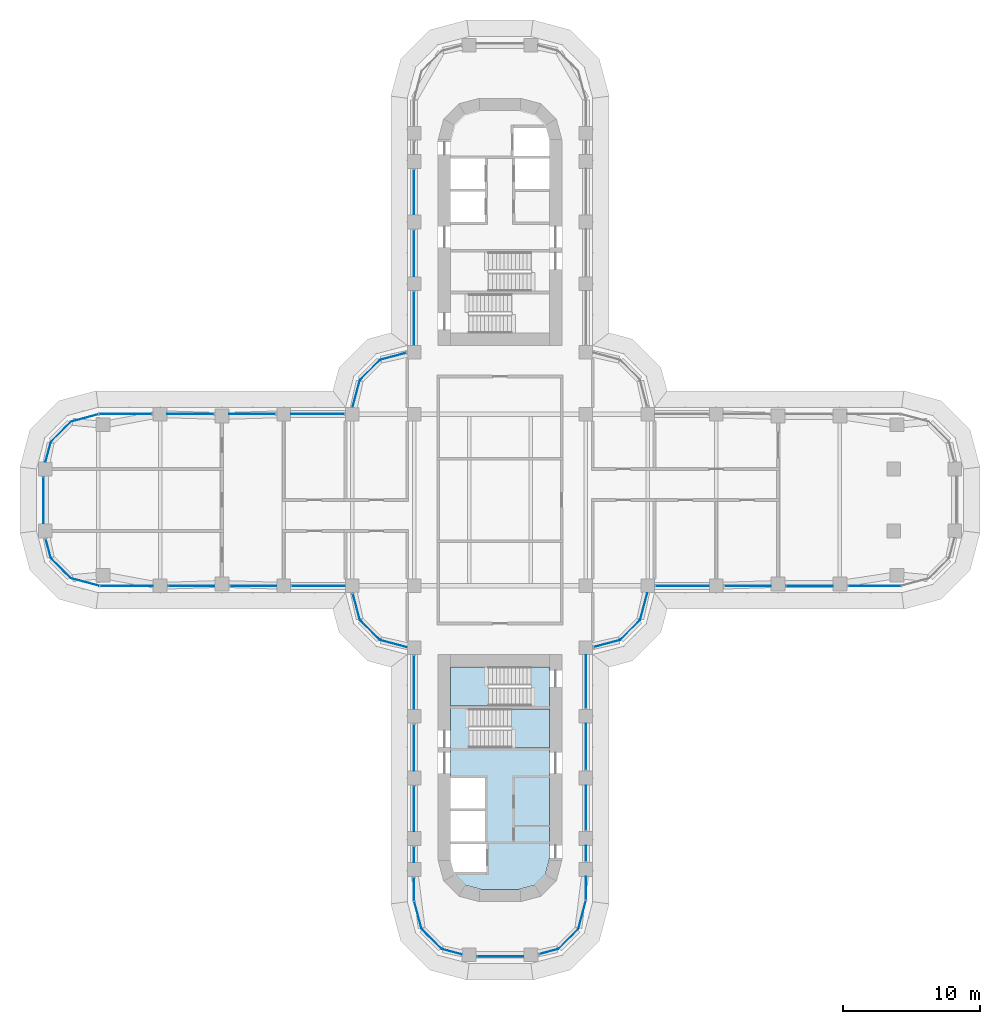
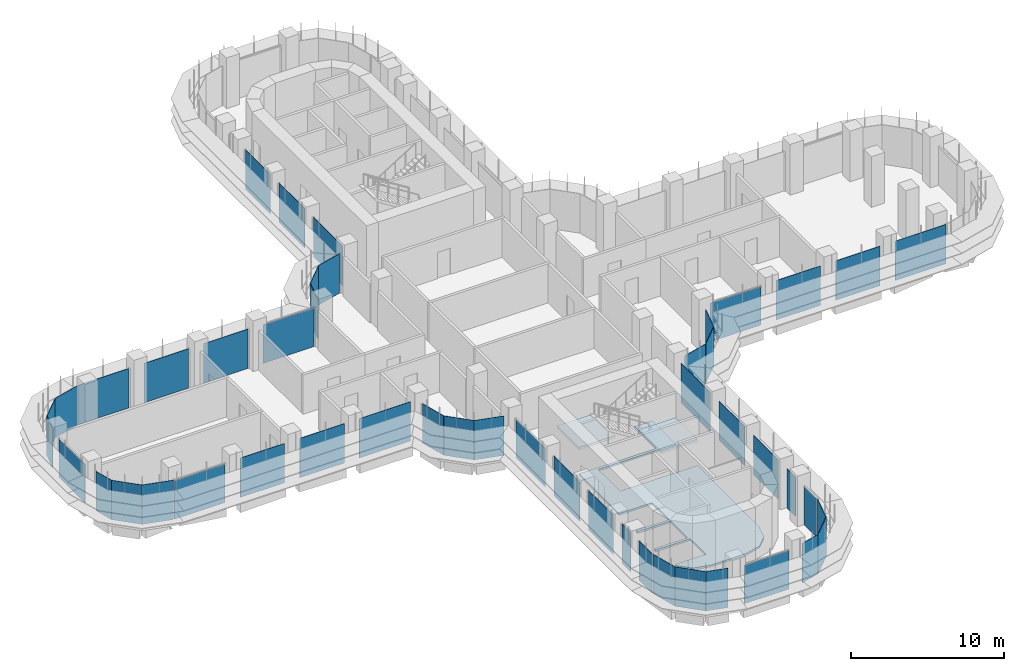
# One storey, part 13 of 23: 48 plates, 3 slabs, 31 elements without a shape of their own.
"""IFC4 building model written with IfcOpenShell, lengths in metres."""

from ifc_helpers import new_model, si_unit, direction, frame, origin, place, context, subcontext, project, spatial, polyline, outline, extrude, source, transform, mapped, material, layer, layer_set, type_object, element, aggregate, save


model = new_model("IFC4")

# Units and contexts
model_context = context("Model", 3, precision=1e-05, world=origin(), true_north=direction((0.0, 1.0)))
body_context = subcontext(model_context, "Body", "Model", "MODEL_VIEW")
ifc_project = project(units=[si_unit("LENGTHUNIT", "METRE"), si_unit("AREAUNIT", "SQUARE_METRE"), si_unit("VOLUMEUNIT", "CUBIC_METRE"), si_unit("PLANEANGLEUNIT", "RADIAN"), si_unit("MASSUNIT", "GRAM", prefix="KILO")], contexts=[model_context])

# Site, building, storey
site_placement = place(None, origin())
site = spatial("IfcSite", under=ifc_project, at=site_placement, CompositionType="ELEMENT")
building_placement = place(site_placement, origin())
building = spatial("IfcBuilding", under=site, at=building_placement, Name="Zarbagh Exchange Tower", CompositionType="ELEMENT")
storey_placement = place(building_placement, frame((0.0, 0.0, 39.60009765625)))
storey = spatial("IfcBuildingStorey", under=building, at=storey_placement, Name="L08", CompositionType="ELEMENT", Elevation=39.60009765625)

# Slab
ifc_material_1 = material(Name="Concrete C40/50", Category="concrete")
ifc_layer_1 = layer(ifc_material_1, 0.14990234375)
ifc_layer_set_1 = layer_set([ifc_layer_1], Name="Core floor slab 150 C40/50")
slab_type_1 = type_object("IfcSlabType", Name="Core floor slab 150 C40/50", PredefinedType="FLOOR", material=ifc_layer_set_1)
slab_1_placement = place(storey_placement, frame((0.0, 0.0, -0.150146484375)))
element("IfcSlab", 1, at=slab_1_placement, inside=storey, type_object=slab_type_1, Name="S17 core S", PredefinedType="FLOOR", context=body_context, shape_type="SweptSolid", body=[
    extrude(outline(polyline([(-2.5341796875, -28.041259765625), (-3.291259765625, -27.2841796875), (-3.340576171875, -27.10009765625), (-1.0, -27.10009765625), (-1.0, -25.050048828125), (-3.60009765625, -25.050048828125), (-3.60009765625, -24.85009765625), (-1.10009765625, -24.85009765625), (-1.10009765625, -22.64990234375), (-3.60009765625, -22.64990234375), (-3.60009765625, -22.449951171875), (-1.10009765625, -22.449951171875), (-1.10009765625, -20.25), (-3.60009765625, -20.25), (-3.60009765625, -15.0), (2.25, -15.0), (2.25, -12.14990234375), (3.60009765625, -12.14990234375), (3.60009765625, -15.199951171875), (-2.25, -15.199951171875), (-2.25, -18.050048828125), (3.60009765625, -18.050048828125), (3.60009765625, -26.131591796875), (3.291259765625, -27.2841796875), (2.5341796875, -28.041259765625), (1.381591796875, -28.35009765625), (-1.381591796875, -28.35009765625), (-2.5341796875, -28.041259765625)])), origin(), (0.0, 0.0, 1.0), 0.150146484375),
])

# Stair, slab
stair_type = type_object("IfcStairType", Name="Exit stair two-flight half-turn", PredefinedType="HALF_TURN_STAIR", material=ifc_material_1)
stair_1_placement = place(storey_placement, origin())
stair_1 = element("IfcStair", 2, at=stair_1_placement, inside=storey, type_object=stair_type, Name="exit stair ST3", PredefinedType="HALF_TURN_STAIR")
ifc_layer_2 = layer(ifc_material_1, 0.199951171875)
ifc_layer_set_2 = layer_set([ifc_layer_2], Name="Stair landing 200 mm")
slab_type_2 = type_object("IfcSlabType", Name="Stair landing 200 mm", PredefinedType="LANDING", material=ifc_layer_set_2)
slab_2_placement = place(storey_placement, frame((0.0, 0.0, 1.89990234375)))
slab_2 = element("IfcSlab", 3, at=slab_2_placement, type_object=slab_type_2, Name="ST3 landing 1", PredefinedType="LANDING", context=body_context, shape_type="SweptSolid", body=[
    extrude(outline(polyline([(0.830078125, -18.050048828125), (3.60009765625, -18.050048828125), (3.60009765625, -15.199951171875), (0.830078125, -15.199951171875), (0.830078125, -18.050048828125)])), origin(), (0.0, 0.0, 1.0), 0.199951171875),
])
aggregate(stair_1, [slab_2])

stair_2_placement = place(storey_placement, origin())
stair_2 = element("IfcStair", 4, at=stair_2_placement, inside=storey, type_object=stair_type, Name="exit stair ST4", PredefinedType="HALF_TURN_STAIR")
slab_3_placement = place(storey_placement, frame((0.0, 0.0, 1.89990234375)))
slab_3 = element("IfcSlab", 5, at=slab_3_placement, type_object=slab_type_2, Name="ST4 landing 1", PredefinedType="LANDING", context=body_context, shape_type="SweptSolid", body=[
    extrude(outline(polyline([(-0.830078125, -12.14990234375), (-3.60009765625, -12.14990234375), (-3.60009765625, -15.0), (-0.830078125, -15.0), (-0.830078125, -12.14990234375)])), origin(), (0.0, 0.0, 1.0), 0.199951171875),
])
aggregate(stair_2, [slab_3])

# Curtain wall, plate
ifc_material_2 = material(Name="Anodised aluminium frame and glazing", Category="aluminium")
curtain_wall_type = type_object("IfcCurtainWallType", Name="CWA Ribbon glazing, lower zones", PredefinedType="NOTDEFINED", material=ifc_material_2)
curtain_wall_1_placement = place(storey_placement, origin())
curtain_wall_1 = element("IfcCurtainWall", 6, at=curtain_wall_1_placement, inside=storey, type_object=curtain_wall_type, Name="CWA01 curtain wall", PredefinedType="NOTDEFINED")
ifc_material_3 = material(Name="Low-e double glazed unit, 6+12+6 mm")
ifc_layer_3 = layer(ifc_material_3, 0.028076171875)
ifc_layer_set_3 = layer_set([ifc_layer_3], Name="PAA Glazing panel, Low-e double glazed unit, 6+12+6 mm")
plate_type = type_object("IfcPlateType", Name="PAA Glazing panel, Low-e double glazed unit, 6+12+6 mm", PredefinedType="CURTAIN_PANEL", material=ifc_layer_set_3)
shared_shape_1 = source(origin(), body_context, "Body", "SweptSolid", [
    extrude(outline(polyline([(0.0, -0.013916015625), (1.4423828125, -0.013916015625), (1.4423828125, 0.013916015625), (0.0, 0.013916015625), (0.0, -0.013916015625)])), origin(), (0.0, 0.0, 1.0), 3.14990234375),
])
placement = place(storey_placement, origin())
plate_1 = element("IfcPlate", 7, at=placement, type_object=plate_type, Name="CWA01 glazing panel 1.1", PredefinedType="CURTAIN_PANEL", context=body_context, shape_type="MappedRepresentation", body=[
    mapped(shared_shape_1, transform((2.847900390625, -33.072021484375, 0.0), x_axis=(0.965924289636, 0.258824779902, 0.0), y_axis=(-0.258824779902, 0.965924289636, 0.0), z_axis=(0.0, 0.0, 1.0))),
])
aggregate(curtain_wall_1, [plate_1])

curtain_wall_2_placement = place(storey_placement, origin())
curtain_wall_2 = element("IfcCurtainWall", 8, at=curtain_wall_2_placement, inside=storey, type_object=curtain_wall_type, Name="CWA37 curtain wall", PredefinedType="NOTDEFINED")
plate_2 = element("IfcPlate", 9, at=placement, type_object=plate_type, Name="CWA37 glazing panel 1.1", PredefinedType="CURTAIN_PANEL", context=body_context, shape_type="MappedRepresentation", body=[
    mapped(shared_shape_1, transform((-33.072021484375, -2.847900390625, 0.0), x_axis=(0.258824779902, -0.965924289636, 0.0), y_axis=(0.965924289636, 0.258824779902, 0.0), z_axis=(0.0, 0.0, 1.0))),
])
aggregate(curtain_wall_2, [plate_2])

curtain_wall_3_placement = place(storey_placement, origin())
curtain_wall_3 = element("IfcCurtainWall", 10, at=curtain_wall_3_placement, inside=storey, type_object=curtain_wall_type, Name="CWA02 curtain wall", PredefinedType="NOTDEFINED")
shared_shape_2 = source(origin(), body_context, "Body", "SweptSolid", [
    extrude(outline(polyline([(0.0, -0.013916015625), (2.061279296875, -0.013916015625), (2.061279296875, 0.013916015625), (0.0, 0.013916015625), (0.0, -0.013916015625)])), origin(), (0.0, 0.0, 1.0), 3.14990234375),
])
plate_3 = element("IfcPlate", 11, at=placement, type_object=plate_type, Name="CWA02 glazing panel 1.1", PredefinedType="CURTAIN_PANEL", context=body_context, shape_type="MappedRepresentation", body=[
    mapped(shared_shape_2, transform((4.2412109375, -32.69873046875, 0.0), x_axis=(0.707106781187, 0.707106781187, 0.0), y_axis=(-0.707106781187, 0.707106781187, 0.0), z_axis=(0.0, 0.0, 1.0))),
])
aggregate(curtain_wall_3, [plate_3])

curtain_wall_4_placement = place(storey_placement, origin())
curtain_wall_4 = element("IfcCurtainWall", 12, at=curtain_wall_4_placement, inside=storey, type_object=curtain_wall_type, Name="CWA06 curtain wall", PredefinedType="NOTDEFINED")
plate_4 = element("IfcPlate", 13, at=placement, type_object=plate_type, Name="CWA06 glazing panel 1.1", PredefinedType="CURTAIN_PANEL", context=body_context, shape_type="MappedRepresentation", body=[
    mapped(shared_shape_2, transform((8.7412109375, -10.19873046875, 0.0), x_axis=(0.707106781187, 0.707106781187, 0.0), y_axis=(-0.707106781187, 0.707106781187, 0.0), z_axis=(0.0, 0.0, 1.0))),
])
aggregate(curtain_wall_4, [plate_4])

curtain_wall_5_placement = place(storey_placement, origin())
curtain_wall_5 = element("IfcCurtainWall", 14, at=curtain_wall_5_placement, inside=storey, type_object=curtain_wall_type, Name="CWA30 curtain wall", PredefinedType="NOTDEFINED")
plate_5 = element("IfcPlate", 15, at=placement, type_object=plate_type, Name="CWA30 glazing panel 1.1", PredefinedType="CURTAIN_PANEL", context=body_context, shape_type="MappedRepresentation", body=[
    mapped(shared_shape_2, transform((-8.7412109375, 10.19873046875, 0.0), x_axis=(-0.707106781187, -0.707106781187, 0.0), y_axis=(0.707106781187, -0.707106781187, 0.0), z_axis=(0.0, 0.0, 1.0))),
])
aggregate(curtain_wall_5, [plate_5])

curtain_wall_6_placement = place(storey_placement, origin())
curtain_wall_6 = element("IfcCurtainWall", 16, at=curtain_wall_6_placement, inside=storey, type_object=curtain_wall_type, Name="CWA34 curtain wall", PredefinedType="NOTDEFINED")
plate_6 = element("IfcPlate", 17, at=placement, type_object=plate_type, Name="CWA34 glazing panel 1.1", PredefinedType="CURTAIN_PANEL", context=body_context, shape_type="MappedRepresentation", body=[
    mapped(shared_shape_2, transform((-31.2412109375, 5.69873046875, 0.0), x_axis=(-0.707106781187, -0.707106781187, 0.0), y_axis=(0.707106781187, -0.707106781187, 0.0), z_axis=(0.0, 0.0, 1.0))),
])
aggregate(curtain_wall_6, [plate_6])

curtain_wall_7_placement = place(storey_placement, origin())
curtain_wall_7 = element("IfcCurtainWall", 18, at=curtain_wall_7_placement, inside=storey, type_object=curtain_wall_type, Name="CWA38 curtain wall", PredefinedType="NOTDEFINED")
plate_7 = element("IfcPlate", 19, at=placement, type_object=plate_type, Name="CWA38 glazing panel 1.1", PredefinedType="CURTAIN_PANEL", context=body_context, shape_type="MappedRepresentation", body=[
    mapped(shared_shape_2, transform((-32.69873046875, -4.2412109375, 0.0), x_axis=(0.707106781187, -0.707106781187, 0.0), y_axis=(0.707106781187, 0.707106781187, 0.0), z_axis=(0.0, 0.0, 1.0))),
])
aggregate(curtain_wall_7, [plate_7])

curtain_wall_8_placement = place(storey_placement, origin())
curtain_wall_8 = element("IfcCurtainWall", 20, at=curtain_wall_8_placement, inside=storey, type_object=curtain_wall_type, Name="CWA42 curtain wall", PredefinedType="NOTDEFINED")
plate_8 = element("IfcPlate", 21, at=placement, type_object=plate_type, Name="CWA42 glazing panel 1.1", PredefinedType="CURTAIN_PANEL", context=body_context, shape_type="MappedRepresentation", body=[
    mapped(shared_shape_2, transform((-10.19873046875, -8.7412109375, 0.0), x_axis=(0.707106781187, -0.707106781187, 0.0), y_axis=(0.707106781187, 0.707106781187, 0.0), z_axis=(0.0, 0.0, 1.0))),
])
aggregate(curtain_wall_8, [plate_8])

curtain_wall_9_placement = place(storey_placement, origin())
curtain_wall_9 = element("IfcCurtainWall", 22, at=curtain_wall_9_placement, inside=storey, type_object=curtain_wall_type, Name="CWA46 curtain wall", PredefinedType="NOTDEFINED")
plate_9 = element("IfcPlate", 23, at=placement, type_object=plate_type, Name="CWA46 glazing panel 1.1", PredefinedType="CURTAIN_PANEL", context=body_context, shape_type="MappedRepresentation", body=[
    mapped(shared_shape_2, transform((-5.69873046875, -31.2412109375, 0.0), x_axis=(0.707106781187, -0.707106781187, 0.0), y_axis=(0.707106781187, 0.707106781187, 0.0), z_axis=(0.0, 0.0, 1.0))),
])
aggregate(curtain_wall_9, [plate_9])

curtain_wall_10_placement = place(storey_placement, origin())
curtain_wall_10 = element("IfcCurtainWall", 24, at=curtain_wall_10_placement, inside=storey, type_object=curtain_wall_type, Name="CWA03 curtain wall", PredefinedType="NOTDEFINED")
shared_shape_3 = source(origin(), body_context, "Body", "SweptSolid", [
    extrude(outline(polyline([(0.0, -0.013916015625), (2.129638671875, -0.013916015625), (2.129638671875, 0.013916015625), (0.0, 0.013916015625), (0.0, -0.013916015625)])), origin(), (0.0, 0.0, 1.0), 3.14990234375),
])
plate_10 = element("IfcPlate", 25, at=placement, type_object=plate_type, Name="CWA03 glazing panel 1.1", PredefinedType="CURTAIN_PANEL", context=body_context, shape_type="MappedRepresentation", body=[
    mapped(shared_shape_3, transform((5.69873046875, -31.2412109375, 0.0), x_axis=(0.258824779902, 0.965924289636, 0.0), y_axis=(-0.965924289636, 0.258824779902, 0.0), z_axis=(0.0, 0.0, 1.0))),
])
aggregate(curtain_wall_10, [plate_10])

curtain_wall_11_placement = place(storey_placement, origin())
curtain_wall_11 = element("IfcCurtainWall", 26, at=curtain_wall_11_placement, inside=storey, type_object=curtain_wall_type, Name="CWA39 curtain wall", PredefinedType="NOTDEFINED")
plate_11 = element("IfcPlate", 27, at=placement, type_object=plate_type, Name="CWA39 glazing panel 1.1", PredefinedType="CURTAIN_PANEL", context=body_context, shape_type="MappedRepresentation", body=[
    mapped(shared_shape_3, transform((-31.2412109375, -5.69873046875, 0.0), x_axis=(0.965924289636, -0.258824779902, 0.0), y_axis=(0.258824779902, 0.965924289636, 0.0), z_axis=(0.0, 0.0, 1.0))),
])
aggregate(curtain_wall_11, [plate_11])

# Curtain wall, plates
curtain_wall_12_placement = place(storey_placement, origin())
curtain_wall_12 = element("IfcCurtainWall", 28, at=curtain_wall_12_placement, inside=storey, type_object=curtain_wall_type, Name="CWA04 curtain wall", PredefinedType="NOTDEFINED")
shared_shape_4 = source(origin(), body_context, "Body", "SweptSolid", [
    extrude(outline(polyline([(0.0, -0.013916015625), (1.68408203125, -0.013916015625), (1.68408203125, 0.013916015625), (0.0, 0.013916015625), (0.0, -0.013916015625)])), origin(), (0.0, 0.0, 1.0), 3.090087890625),
])
plate_12 = element("IfcPlate", 29, at=placement, type_object=plate_type, Name="CWA04 glazing panel 1.1", PredefinedType="CURTAIN_PANEL", context=body_context, shape_type="MappedRepresentation", body=[
    mapped(shared_shape_4, transform((6.25, -29.124267578125, 0.0), x_axis=(0.0, 1.0, 0.0), y_axis=(-1.0, 0.0, 0.0), z_axis=(0.0, 0.0, 1.0))),
])
shared_shape_5 = source(origin(), body_context, "Body", "SweptSolid", [
    extrude(outline(polyline([(0.0, -0.013916015625), (1.110107421875, -0.013916015625), (1.110107421875, 0.013916015625), (0.0, 0.013916015625), (0.0, -0.013916015625)])), origin(), (0.0, 0.0, 1.0), 3.14990234375),
])
plate_13 = element("IfcPlate", 30, at=placement, type_object=plate_type, Name="CWA04 glazing panel 2.1", PredefinedType="CURTAIN_PANEL", context=body_context, shape_type="MappedRepresentation", body=[
    mapped(shared_shape_5, transform((6.25, -26.300048828125, 0.0), x_axis=(0.0, 1.0, 0.0), y_axis=(-1.0, 0.0, 0.0), z_axis=(0.0, 0.0, 1.0))),
])

# Curtain wall, plate
curtain_wall_13_placement = place(storey_placement, origin())
curtain_wall_13 = element("IfcCurtainWall", 31, at=curtain_wall_13_placement, inside=storey, type_object=curtain_wall_type, Name="CWA44 curtain wall", PredefinedType="NOTDEFINED")
plate_14 = element("IfcPlate", 32, at=placement, type_object=plate_type, Name="CWA44 glazing panel 4.1", PredefinedType="CURTAIN_PANEL", context=body_context, shape_type="MappedRepresentation", body=[
    mapped(shared_shape_5, transform((-6.25, -25.25, 0.0), x_axis=(0.0, -1.0, 0.0), y_axis=(1.0, 0.0, 0.0), z_axis=(0.0, 0.0, 1.0))),
])

# Plate
shared_shape_6 = source(origin(), body_context, "Body", "SweptSolid", [
    extrude(outline(polyline([(0.0, -0.013916015625), (3.260009765625, -0.013916015625), (3.260009765625, 0.013916015625), (0.0, 0.013916015625), (0.0, -0.013916015625)])), origin(), (0.0, 0.0, 1.0), 3.14990234375),
])
plate_15 = element("IfcPlate", 33, at=placement, type_object=plate_type, Name="CWA04 glazing panel 3.1", PredefinedType="CURTAIN_PANEL", context=body_context, shape_type="MappedRepresentation", body=[
    mapped(shared_shape_6, transform((6.25, -24.050048828125, 0.0), x_axis=(0.0, 1.0, 0.0), y_axis=(-1.0, 0.0, 0.0), z_axis=(0.0, 0.0, 1.0))),
])

# Curtain wall, plate
curtain_wall_14_placement = place(storey_placement, origin())
curtain_wall_14 = element("IfcCurtainWall", 34, at=curtain_wall_14_placement, inside=storey, type_object=curtain_wall_type, Name="CWA28 curtain wall", PredefinedType="NOTDEFINED")
plate_16 = element("IfcPlate", 35, at=placement, type_object=plate_type, Name="CWA28 glazing panel 3.1", PredefinedType="CURTAIN_PANEL", context=body_context, shape_type="MappedRepresentation", body=[
    mapped(shared_shape_6, transform((-6.25, 24.050048828125, 0.0), x_axis=(0.0, -1.0, 0.0), y_axis=(1.0, 0.0, 0.0), z_axis=(0.0, 0.0, 1.0))),
])

# Plate
plate_17 = element("IfcPlate", 36, at=placement, type_object=plate_type, Name="CWA44 glazing panel 3.1", PredefinedType="CURTAIN_PANEL", context=body_context, shape_type="MappedRepresentation", body=[
    mapped(shared_shape_6, transform((-6.25, -20.85009765625, 0.0), x_axis=(0.0, -1.0, 0.0), y_axis=(1.0, 0.0, 0.0), z_axis=(0.0, 0.0, 1.0))),
])

shared_shape_7 = source(origin(), body_context, "Body", "SweptSolid", [
    extrude(outline(polyline([(0.0, -0.013916015625), (3.360107421875, -0.013916015625), (3.360107421875, 0.013916015625), (0.0, 0.013916015625), (0.0, -0.013916015625)])), origin(), (0.0, 0.0, 1.0), 3.14990234375),
])
plate_18 = element("IfcPlate", 37, at=placement, type_object=plate_type, Name="CWA04 glazing panel 4.1", PredefinedType="CURTAIN_PANEL", context=body_context, shape_type="MappedRepresentation", body=[
    mapped(shared_shape_7, transform((6.25, -19.64990234375, 0.0), x_axis=(0.0, 1.0, 0.0), y_axis=(-1.0, 0.0, 0.0), z_axis=(0.0, 0.0, 1.0))),
])

# Curtain wall, plates
curtain_wall_15_placement = place(storey_placement, origin())
curtain_wall_15 = element("IfcCurtainWall", 38, at=curtain_wall_15_placement, inside=storey, type_object=curtain_wall_type, Name="CWA08 curtain wall", PredefinedType="NOTDEFINED")
plate_19 = element("IfcPlate", 39, at=placement, type_object=plate_type, Name="CWA08 glazing panel 2.1", PredefinedType="CURTAIN_PANEL", context=body_context, shape_type="MappedRepresentation", body=[
    mapped(shared_shape_7, transform((16.35009765625, -6.25, 0.0), x_axis=(1.0, 0.0, 0.0), y_axis=(0.0, 1.0, 0.0), z_axis=(0.0, 0.0, 1.0))),
])
plate_20 = element("IfcPlate", 40, at=placement, type_object=plate_type, Name="CWA08 glazing panel 3.1", PredefinedType="CURTAIN_PANEL", context=body_context, shape_type="MappedRepresentation", body=[
    mapped(shared_shape_7, transform((20.85009765625, -6.25, 0.0), x_axis=(1.0, 0.0, 0.0), y_axis=(0.0, 1.0, 0.0), z_axis=(0.0, 0.0, 1.0))),
])

# Plate
plate_21 = element("IfcPlate", 41, at=placement, type_object=plate_type, Name="CWA28 glazing panel 4.1", PredefinedType="CURTAIN_PANEL", context=body_context, shape_type="MappedRepresentation", body=[
    mapped(shared_shape_7, transform((-6.25, 19.64990234375, 0.0), x_axis=(0.0, -1.0, 0.0), y_axis=(1.0, 0.0, 0.0), z_axis=(0.0, 0.0, 1.0))),
])

# Curtain wall, plates
curtain_wall_16_placement = place(storey_placement, origin())
curtain_wall_16 = element("IfcCurtainWall", 42, at=curtain_wall_16_placement, inside=storey, type_object=curtain_wall_type, Name="CWA32 curtain wall", PredefinedType="NOTDEFINED")
plate_22 = element("IfcPlate", 43, at=placement, type_object=plate_type, Name="CWA32 glazing panel 2.1", PredefinedType="CURTAIN_PANEL", context=body_context, shape_type="MappedRepresentation", body=[
    mapped(shared_shape_7, transform((-16.35009765625, 6.25, 0.0), x_axis=(-1.0, 0.0, 0.0), y_axis=(0.0, -1.0, 0.0), z_axis=(0.0, 0.0, 1.0))),
])
plate_23 = element("IfcPlate", 44, at=placement, type_object=plate_type, Name="CWA32 glazing panel 3.1", PredefinedType="CURTAIN_PANEL", context=body_context, shape_type="MappedRepresentation", body=[
    mapped(shared_shape_7, transform((-20.85009765625, 6.25, 0.0), x_axis=(-1.0, 0.0, 0.0), y_axis=(0.0, -1.0, 0.0), z_axis=(0.0, 0.0, 1.0))),
])

curtain_wall_17_placement = place(storey_placement, origin())
curtain_wall_17 = element("IfcCurtainWall", 45, at=curtain_wall_17_placement, inside=storey, type_object=curtain_wall_type, Name="CWA40 curtain wall", PredefinedType="NOTDEFINED")
plate_24 = element("IfcPlate", 46, at=placement, type_object=plate_type, Name="CWA40 glazing panel 2.1", PredefinedType="CURTAIN_PANEL", context=body_context, shape_type="MappedRepresentation", body=[
    mapped(shared_shape_7, transform((-24.14990234375, -6.25, 0.0), x_axis=(1.0, 0.0, 0.0), y_axis=(0.0, 1.0, 0.0), z_axis=(0.0, 0.0, 1.0))),
])
plate_25 = element("IfcPlate", 47, at=placement, type_object=plate_type, Name="CWA40 glazing panel 3.1", PredefinedType="CURTAIN_PANEL", context=body_context, shape_type="MappedRepresentation", body=[
    mapped(shared_shape_7, transform((-19.64990234375, -6.25, 0.0), x_axis=(1.0, 0.0, 0.0), y_axis=(0.0, 1.0, 0.0), z_axis=(0.0, 0.0, 1.0))),
])

# Plate
plate_26 = element("IfcPlate", 48, at=placement, type_object=plate_type, Name="CWA44 glazing panel 2.1", PredefinedType="CURTAIN_PANEL", context=body_context, shape_type="MappedRepresentation", body=[
    mapped(shared_shape_7, transform((-6.25, -16.35009765625, 0.0), x_axis=(0.0, -1.0, 0.0), y_axis=(1.0, 0.0, 0.0), z_axis=(0.0, 0.0, 1.0))),
])

# Curtain wall, plate
curtain_wall_18_placement = place(storey_placement, origin())
curtain_wall_18 = element("IfcCurtainWall", 49, at=curtain_wall_18_placement, inside=storey, type_object=curtain_wall_type, Name="CWA05 curtain wall", PredefinedType="NOTDEFINED")
shared_shape_8 = source(origin(), body_context, "Body", "SweptSolid", [
    extrude(outline(polyline([(0.0, -0.013916015625), (1.9599609375, -0.013916015625), (1.9599609375, 0.013916015625), (0.0, 0.013916015625), (0.0, -0.013916015625)])), origin(), (0.0, 0.0, 1.0), 3.14990234375),
])
plate_27 = element("IfcPlate", 50, at=placement, type_object=plate_type, Name="CWA05 glazing panel 1.1", PredefinedType="CURTAIN_PANEL", context=body_context, shape_type="MappedRepresentation", body=[
    mapped(shared_shape_8, transform((6.847900390625, -10.7060546875, 0.0), x_axis=(0.965924289636, 0.258824779902, 0.0), y_axis=(-0.258824779902, 0.965924289636, 0.0), z_axis=(0.0, 0.0, 1.0))),
])
aggregate(curtain_wall_18, [plate_27])

curtain_wall_19_placement = place(storey_placement, origin())
curtain_wall_19 = element("IfcCurtainWall", 51, at=curtain_wall_19_placement, inside=storey, type_object=curtain_wall_type, Name="CWA29 curtain wall", PredefinedType="NOTDEFINED")
plate_28 = element("IfcPlate", 52, at=placement, type_object=plate_type, Name="CWA29 glazing panel 1.1", PredefinedType="CURTAIN_PANEL", context=body_context, shape_type="MappedRepresentation", body=[
    mapped(shared_shape_8, transform((-6.847900390625, 10.7060546875, 0.0), x_axis=(-0.965924289636, -0.258824779902, 0.0), y_axis=(0.258824779902, -0.965924289636, 0.0), z_axis=(0.0, 0.0, 1.0))),
])
aggregate(curtain_wall_19, [plate_28])

curtain_wall_20_placement = place(storey_placement, origin())
curtain_wall_20 = element("IfcCurtainWall", 53, at=curtain_wall_20_placement, inside=storey, type_object=curtain_wall_type, Name="CWA41 curtain wall", PredefinedType="NOTDEFINED")
plate_29 = element("IfcPlate", 54, at=placement, type_object=plate_type, Name="CWA41 glazing panel 1.1", PredefinedType="CURTAIN_PANEL", context=body_context, shape_type="MappedRepresentation", body=[
    mapped(shared_shape_8, transform((-10.7060546875, -6.847900390625, 0.0), x_axis=(0.258824779902, -0.965924289636, 0.0), y_axis=(0.965924289636, 0.258824779902, 0.0), z_axis=(0.0, 0.0, 1.0))),
])
aggregate(curtain_wall_20, [plate_29])

curtain_wall_21_placement = place(storey_placement, origin())
curtain_wall_21 = element("IfcCurtainWall", 55, at=curtain_wall_21_placement, inside=storey, type_object=curtain_wall_type, Name="CWA07 curtain wall", PredefinedType="NOTDEFINED")
shared_shape_9 = source(origin(), body_context, "Body", "SweptSolid", [
    extrude(outline(polyline([(0.0, -0.013916015625), (2.02001953125, -0.013916015625), (2.02001953125, 0.013916015625), (0.0, 0.013916015625), (0.0, -0.013916015625)])), origin(), (0.0, 0.0, 1.0), 3.14990234375),
])
plate_30 = element("IfcPlate", 56, at=placement, type_object=plate_type, Name="CWA07 glazing panel 1.1", PredefinedType="CURTAIN_PANEL", context=body_context, shape_type="MappedRepresentation", body=[
    mapped(shared_shape_9, transform((10.19873046875, -8.7412109375, 0.0), x_axis=(0.258824779902, 0.965924289636, 0.0), y_axis=(-0.965924289636, 0.258824779902, 0.0), z_axis=(0.0, 0.0, 1.0))),
])
aggregate(curtain_wall_21, [plate_30])

curtain_wall_22_placement = place(storey_placement, origin())
curtain_wall_22 = element("IfcCurtainWall", 57, at=curtain_wall_22_placement, inside=storey, type_object=curtain_wall_type, Name="CWA31 curtain wall", PredefinedType="NOTDEFINED")
plate_31 = element("IfcPlate", 58, at=placement, type_object=plate_type, Name="CWA31 glazing panel 1.1", PredefinedType="CURTAIN_PANEL", context=body_context, shape_type="MappedRepresentation", body=[
    mapped(shared_shape_9, transform((-10.19873046875, 8.7412109375, 0.0), x_axis=(-0.258824779902, -0.965924289636, 0.0), y_axis=(0.965924289636, -0.258824779902, 0.0), z_axis=(0.0, 0.0, 1.0))),
])
aggregate(curtain_wall_22, [plate_31])

curtain_wall_23_placement = place(storey_placement, origin())
curtain_wall_23 = element("IfcCurtainWall", 59, at=curtain_wall_23_placement, inside=storey, type_object=curtain_wall_type, Name="CWA43 curtain wall", PredefinedType="NOTDEFINED")
plate_32 = element("IfcPlate", 60, at=placement, type_object=plate_type, Name="CWA43 glazing panel 1.1", PredefinedType="CURTAIN_PANEL", context=body_context, shape_type="MappedRepresentation", body=[
    mapped(shared_shape_9, transform((-8.7412109375, -10.19873046875, 0.0), x_axis=(0.965924289636, -0.258824779902, 0.0), y_axis=(0.258824779902, 0.965924289636, 0.0), z_axis=(0.0, 0.0, 1.0))),
])
aggregate(curtain_wall_23, [plate_32])

# Plate
shared_shape_10 = source(origin(), body_context, "Body", "SweptSolid", [
    extrude(outline(polyline([(0.0, -0.013916015625), (3.860107421875, -0.013916015625), (3.860107421875, 0.013916015625), (0.0, 0.013916015625), (0.0, -0.013916015625)])), origin(), (0.0, 0.0, 1.0), 3.090087890625),
])
plate_33 = element("IfcPlate", 61, at=placement, type_object=plate_type, Name="CWA08 glazing panel 1.1", PredefinedType="CURTAIN_PANEL", context=body_context, shape_type="MappedRepresentation", body=[
    mapped(shared_shape_10, transform((11.35009765625, -6.25, 0.0), x_axis=(1.0, 0.0, 0.0), y_axis=(0.0, 1.0, 0.0), z_axis=(0.0, 0.0, 1.0))),
])

plate_34 = element("IfcPlate", 62, at=placement, type_object=plate_type, Name="CWA32 glazing panel 1.1", PredefinedType="CURTAIN_PANEL", context=body_context, shape_type="MappedRepresentation", body=[
    mapped(shared_shape_10, transform((-11.35009765625, 6.25, 0.0), x_axis=(-1.0, 0.0, 0.0), y_axis=(0.0, -1.0, 0.0), z_axis=(0.0, 0.0, 1.0))),
])

plate_35 = element("IfcPlate", 63, at=placement, type_object=plate_type, Name="CWA44 glazing panel 1.1", PredefinedType="CURTAIN_PANEL", context=body_context, shape_type="MappedRepresentation", body=[
    mapped(shared_shape_10, transform((-6.25, -11.35009765625, 0.0), x_axis=(0.0, -1.0, 0.0), y_axis=(1.0, 0.0, 0.0), z_axis=(0.0, 0.0, 1.0))),
])

shared_shape_11 = source(origin(), body_context, "Body", "SweptSolid", [
    extrude(outline(polyline([(0.0, -0.013916015625), (3.833984375, -0.013916015625), (3.833984375, 0.013916015625), (0.0, 0.013916015625), (0.0, -0.013916015625)])), origin(), (0.0, 0.0, 1.0), 3.14990234375),
])
plate_36 = element("IfcPlate", 64, at=placement, type_object=plate_type, Name="CWA08 glazing panel 4.1", PredefinedType="CURTAIN_PANEL", context=body_context, shape_type="MappedRepresentation", body=[
    mapped(shared_shape_11, transform((25.35009765625, -6.25, 0.0), x_axis=(1.0, 0.0, 0.0), y_axis=(0.0, 1.0, 0.0), z_axis=(0.0, 0.0, 1.0))),
])

aggregate(curtain_wall_15, [plate_33, plate_19, plate_20, plate_36])

plate_37 = element("IfcPlate", 65, at=placement, type_object=plate_type, Name="CWA32 glazing panel 4.1", PredefinedType="CURTAIN_PANEL", context=body_context, shape_type="MappedRepresentation", body=[
    mapped(shared_shape_11, transform((-25.35009765625, 6.25, 0.0), x_axis=(-1.0, 0.0, 0.0), y_axis=(0.0, -1.0, 0.0), z_axis=(0.0, 0.0, 1.0))),
])

aggregate(curtain_wall_16, [plate_34, plate_22, plate_23, plate_37])

# Curtain wall, plate
curtain_wall_24_placement = place(storey_placement, origin())
curtain_wall_24 = element("IfcCurtainWall", 66, at=curtain_wall_24_placement, inside=storey, type_object=curtain_wall_type, Name="CWA33 curtain wall", PredefinedType="NOTDEFINED")
shared_shape_12 = source(origin(), body_context, "Body", "SweptSolid", [
    extrude(outline(polyline([(0.0, -0.013916015625), (2.069580078125, -0.013916015625), (2.069580078125, 0.013916015625), (0.0, 0.013916015625), (0.0, -0.013916015625)])), origin(), (0.0, 0.0, 1.0), 3.14990234375),
])
plate_38 = element("IfcPlate", 67, at=placement, type_object=plate_type, Name="CWA33 glazing panel 1.1", PredefinedType="CURTAIN_PANEL", context=body_context, shape_type="MappedRepresentation", body=[
    mapped(shared_shape_12, transform((-29.2421875, 6.234375, 0.0), x_axis=(-0.965924289636, -0.258824779902, 0.0), y_axis=(0.258824779902, -0.965924289636, 0.0), z_axis=(0.0, 0.0, 1.0))),
])
aggregate(curtain_wall_24, [plate_38])

curtain_wall_25_placement = place(storey_placement, origin())
curtain_wall_25 = element("IfcCurtainWall", 68, at=curtain_wall_25_placement, inside=storey, type_object=curtain_wall_type, Name="CWA45 curtain wall", PredefinedType="NOTDEFINED")
plate_39 = element("IfcPlate", 69, at=placement, type_object=plate_type, Name="CWA45 glazing panel 1.1", PredefinedType="CURTAIN_PANEL", context=body_context, shape_type="MappedRepresentation", body=[
    mapped(shared_shape_12, transform((-6.234375, -29.2421875, 0.0), x_axis=(0.258824779902, -0.965924289636, 0.0), y_axis=(0.965924289636, 0.258824779902, 0.0), z_axis=(0.0, 0.0, 1.0))),
])
aggregate(curtain_wall_25, [plate_39])

curtain_wall_26_placement = place(storey_placement, origin())
curtain_wall_26 = element("IfcCurtainWall", 70, at=curtain_wall_26_placement, inside=storey, type_object=curtain_wall_type, Name="CWA35 curtain wall", PredefinedType="NOTDEFINED")
shared_shape_13 = source(origin(), body_context, "Body", "SweptSolid", [
    extrude(outline(polyline([(0.0, -0.013916015625), (1.50244140625, -0.013916015625), (1.50244140625, 0.013916015625), (0.0, 0.013916015625), (0.0, -0.013916015625)])), origin(), (0.0, 0.0, 1.0), 3.14990234375),
])
plate_40 = element("IfcPlate", 71, at=placement, type_object=plate_type, Name="CWA35 glazing panel 1.1", PredefinedType="CURTAIN_PANEL", context=body_context, shape_type="MappedRepresentation", body=[
    mapped(shared_shape_13, transform((-32.69873046875, 4.2412109375, 0.0), x_axis=(-0.258824779902, -0.965924289636, 0.0), y_axis=(0.965924289636, -0.258824779902, 0.0), z_axis=(0.0, 0.0, 1.0))),
])
aggregate(curtain_wall_26, [plate_40])

curtain_wall_27_placement = place(storey_placement, origin())
curtain_wall_27 = element("IfcCurtainWall", 72, at=curtain_wall_27_placement, inside=storey, type_object=curtain_wall_type, Name="CWA47 curtain wall", PredefinedType="NOTDEFINED")
plate_41 = element("IfcPlate", 73, at=placement, type_object=plate_type, Name="CWA47 glazing panel 1.1", PredefinedType="CURTAIN_PANEL", context=body_context, shape_type="MappedRepresentation", body=[
    mapped(shared_shape_13, transform((-4.2412109375, -32.69873046875, 0.0), x_axis=(0.965924289636, -0.258824779902, 0.0), y_axis=(0.258824779902, 0.965924289636, 0.0), z_axis=(0.0, 0.0, 1.0))),
])
aggregate(curtain_wall_27, [plate_41])

curtain_wall_28_placement = place(storey_placement, origin())
curtain_wall_28 = element("IfcCurtainWall", 74, at=curtain_wall_28_placement, inside=storey, type_object=curtain_wall_type, Name="CWA36 curtain wall", PredefinedType="NOTDEFINED")
shared_shape_14 = source(origin(), body_context, "Body", "SweptSolid", [
    extrude(outline(polyline([(0.0, -0.013916015625), (3.360107421875, -0.013916015625), (3.360107421875, 0.013916015625), (0.0, 0.013916015625), (0.0, -0.013916015625)])), origin(), (0.0, 0.0, 1.0), 3.090087890625),
])
plate_42 = element("IfcPlate", 75, at=placement, type_object=plate_type, Name="CWA36 glazing panel 1.1", PredefinedType="CURTAIN_PANEL", context=body_context, shape_type="MappedRepresentation", body=[
    mapped(shared_shape_14, transform((-33.25, 1.64990234375, 0.0), x_axis=(0.0, -1.0, 0.0), y_axis=(1.0, 0.0, 0.0), z_axis=(0.0, 0.0, 1.0))),
])
aggregate(curtain_wall_28, [plate_42])

curtain_wall_29_placement = place(storey_placement, origin())
curtain_wall_29 = element("IfcCurtainWall", 76, at=curtain_wall_29_placement, inside=storey, type_object=curtain_wall_type, Name="CWA48 curtain wall", PredefinedType="NOTDEFINED")
plate_43 = element("IfcPlate", 77, at=placement, type_object=plate_type, Name="CWA48 glazing panel 1.1", PredefinedType="CURTAIN_PANEL", context=body_context, shape_type="MappedRepresentation", body=[
    mapped(shared_shape_14, transform((-1.64990234375, -33.25, 0.0), x_axis=(1.0, 0.0, 0.0), y_axis=(0.0, 1.0, 0.0), z_axis=(0.0, 0.0, 1.0))),
])
aggregate(curtain_wall_29, [plate_43])

# Plate
shared_shape_15 = source(origin(), body_context, "Body", "SweptSolid", [
    extrude(outline(polyline([(0.0, -0.013916015625), (3.834228515625, -0.013916015625), (3.834228515625, 0.013916015625), (0.0, 0.013916015625), (0.0, -0.013916015625)])), origin(), (0.0, 0.0, 1.0), 3.090087890625),
])
plate_44 = element("IfcPlate", 78, at=placement, type_object=plate_type, Name="CWA40 glazing panel 1.1", PredefinedType="CURTAIN_PANEL", context=body_context, shape_type="MappedRepresentation", body=[
    mapped(shared_shape_15, transform((-29.124267578125, -6.25, 0.0), x_axis=(1.0, 0.0, 0.0), y_axis=(0.0, 1.0, 0.0), z_axis=(0.0, 0.0, 1.0))),
])

shared_shape_16 = source(origin(), body_context, "Body", "SweptSolid", [
    extrude(outline(polyline([(0.0, -0.013916015625), (3.860107421875, -0.013916015625), (3.860107421875, 0.013916015625), (0.0, 0.013916015625), (0.0, -0.013916015625)])), origin(), (0.0, 0.0, 1.0), 3.14990234375),
])
plate_45 = element("IfcPlate", 79, at=placement, type_object=plate_type, Name="CWA04 glazing panel 5.1", PredefinedType="CURTAIN_PANEL", context=body_context, shape_type="MappedRepresentation", body=[
    mapped(shared_shape_16, transform((6.25, -15.14990234375, 0.0), x_axis=(0.0, 1.0, 0.0), y_axis=(-1.0, 0.0, 0.0), z_axis=(0.0, 0.0, 1.0))),
])

aggregate(curtain_wall_12, [plate_12, plate_13, plate_15, plate_18, plate_45])

plate_46 = element("IfcPlate", 80, at=placement, type_object=plate_type, Name="CWA28 glazing panel 5.1", PredefinedType="CURTAIN_PANEL", context=body_context, shape_type="MappedRepresentation", body=[
    mapped(shared_shape_16, transform((-6.25, 15.14990234375, 0.0), x_axis=(0.0, -1.0, 0.0), y_axis=(1.0, 0.0, 0.0), z_axis=(0.0, 0.0, 1.0))),
])

aggregate(curtain_wall_14, [plate_16, plate_21, plate_46])

plate_47 = element("IfcPlate", 81, at=placement, type_object=plate_type, Name="CWA40 glazing panel 4.1", PredefinedType="CURTAIN_PANEL", context=body_context, shape_type="MappedRepresentation", body=[
    mapped(shared_shape_16, transform((-15.14990234375, -6.25, 0.0), x_axis=(1.0, 0.0, 0.0), y_axis=(0.0, 1.0, 0.0), z_axis=(0.0, 0.0, 1.0))),
])

aggregate(curtain_wall_17, [plate_44, plate_24, plate_25, plate_47])

shared_shape_17 = source(origin(), body_context, "Body", "SweptSolid", [
    extrude(outline(polyline([(0.0, -0.013916015625), (1.68408203125, -0.013916015625), (1.68408203125, 0.013916015625), (0.0, 0.013916015625), (0.0, -0.013916015625)])), origin(), (0.0, 0.0, 1.0), 3.14990234375),
])
plate_48 = element("IfcPlate", 82, at=placement, type_object=plate_type, Name="CWA44 glazing panel 5.1", PredefinedType="CURTAIN_PANEL", context=body_context, shape_type="MappedRepresentation", body=[
    mapped(shared_shape_17, transform((-6.25, -27.5, 0.0), x_axis=(0.0, -1.0, 0.0), y_axis=(1.0, 0.0, 0.0), z_axis=(0.0, 0.0, 1.0))),
])

aggregate(curtain_wall_13, [plate_35, plate_26, plate_17, plate_14, plate_48])

save(model, "model.ifc")
